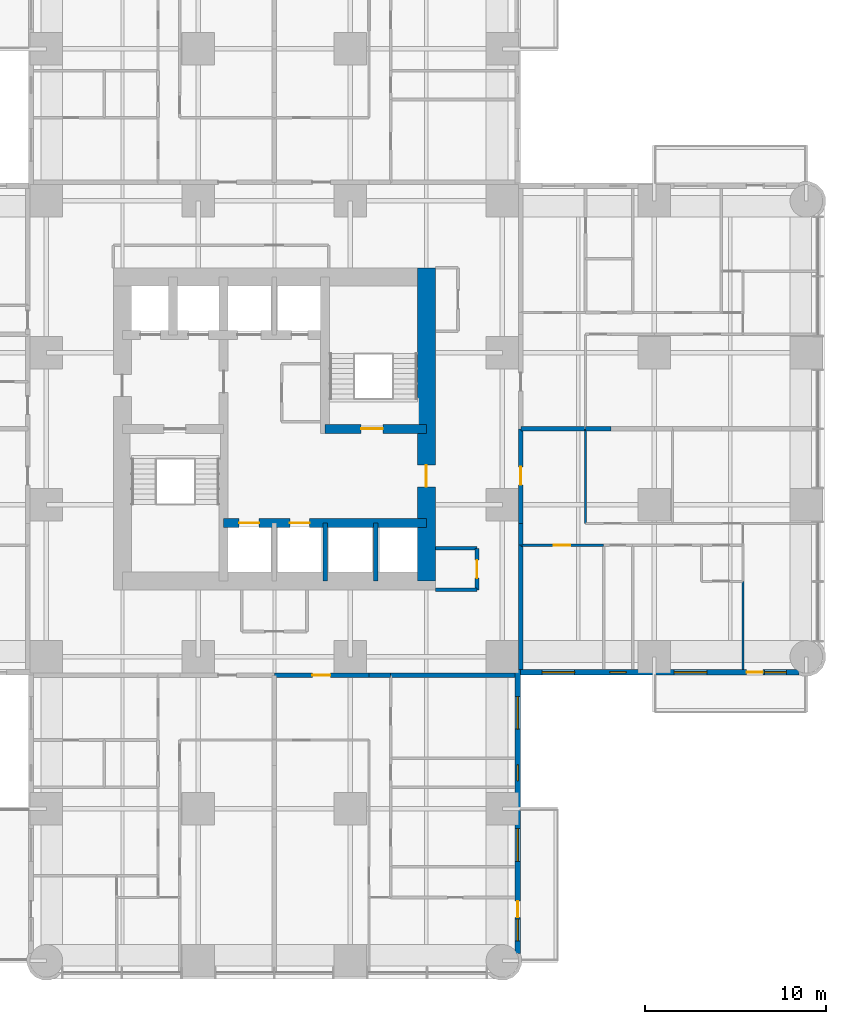
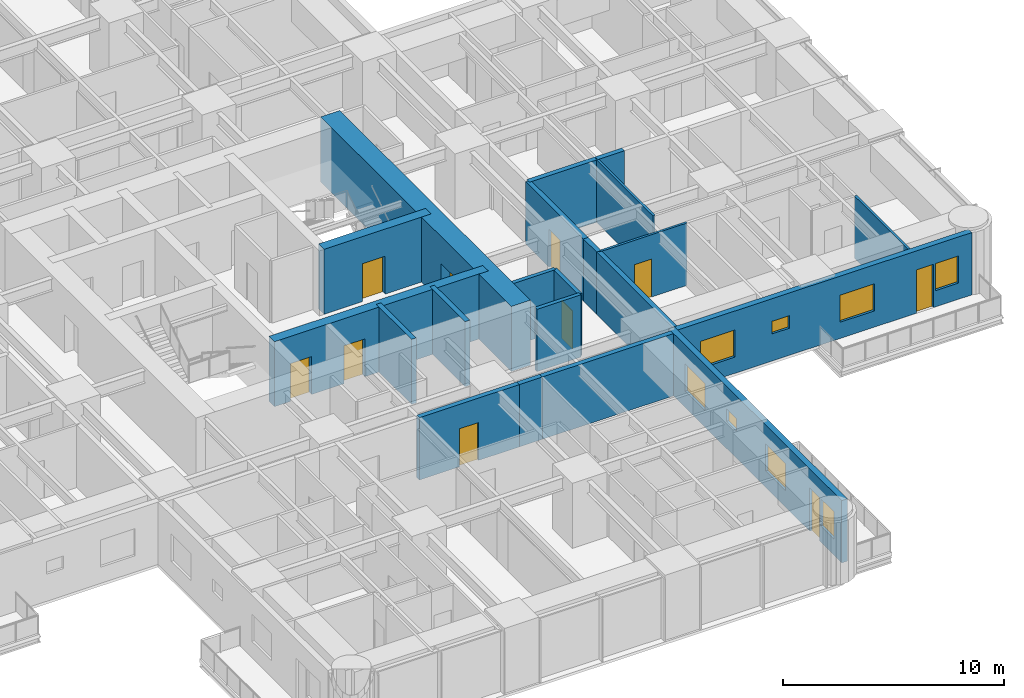
# One storey, part 10 of 17: 21 walls, 10 doors, 8 windows, 18 openings.
"""IFC4 building model written with IfcOpenShell, lengths in metres."""

from ifc_helpers import new_model, si_unit, direction, frame, frame_2d, origin, place, context, subcontext, project, spatial, rectangle, extrude, material, layer, layer_set, type_object, element, fill, save


model = new_model("IFC4")

# Units and contexts
model_context = context("Model", 3, precision=1e-05, world=origin(), true_north=direction((0.0, 1.0)))
body_context = subcontext(model_context, "Body", "Model", "MODEL_VIEW")
ifc_project = project(units=[si_unit("LENGTHUNIT", "METRE"), si_unit("AREAUNIT", "SQUARE_METRE"), si_unit("VOLUMEUNIT", "CUBIC_METRE"), si_unit("PLANEANGLEUNIT", "RADIAN"), si_unit("MASSUNIT", "GRAM", prefix="KILO")], contexts=[model_context])

# Site, building, storey
site_placement = place(None, origin())
site = spatial("IfcSite", under=ifc_project, at=site_placement, CompositionType="ELEMENT")
building_placement = place(site_placement, origin())
building = spatial("IfcBuilding", under=site, at=building_placement, Name="Torre Alcanfor", CompositionType="ELEMENT")
storey_placement = place(building_placement, frame((0.0, 0.0, 41.699951171875)))
storey = spatial("IfcBuildingStorey", under=building, at=storey_placement, Name="L09", CompositionType="ELEMENT", Elevation=41.699951171875)

# Wall, opening, door
ifc_material_1 = material(Name="Concrete block masonry, hollow blocks NMX-C-404 9 MPa", Category="masonry")
ifc_layer_1 = layer(ifc_material_1, 0.25)
ifc_layer_set_1 = layer_set([ifc_layer_1], Name="Apartment entrance wall 250 EI 60")
wall_type_1 = type_object("IfcWallType", Name="Apartment entrance wall 250 EI 60", PredefinedType="PARTITIONING", material=ifc_layer_set_1)
wall_1_placement = place(storey_placement, frame((43.02490234375, 29.39990234375, 0.0), z_axis=(0.0, 0.0, 1.0), x_axis=(0.0, -1.0, 0.0)))
wall_1 = element("IfcWall", 1, at=wall_1_placement, inside=storey, type_object=wall_type_1, Name="Partition L09-CORR / L09-E2-ZAG", PredefinedType="PARTITIONING", context=body_context, shape_type="SweptSolid", body=[
    extrude(rectangle(XDim=5.22900390625, YDim=0.25, at=frame_2d((2.614501953125, 0.0))), origin(), (0.0, 0.0, 1.0), 3.449951171875),
])
opening_1_placement = place(wall_1_placement, frame((2.10009765625, 0.0, 0.0)))
opening_1 = element("IfcOpeningElement", 2, at=opening_1_placement, cuts=wall_1, Name="Opening D-A1", PredefinedType="OPENING", context=body_context, shape_type="SweptSolid", body=[
    extrude(rectangle(XDim=1.0, YDim=2.10009765625, at=frame_2d((0.5, 1.050048828125))), frame((0.0, 0.135009765625, 0.0), z_axis=(0.0, -1.0, 0.0), x_axis=(1.0, 0.0, 0.0)), (0.0, 0.0, 1.0), 0.27001953125),
])
ifc_material_2 = material(Name="Galvanised steel sheet ASTM A653", Category="steel")
door_type_1 = type_object("IfcDoorType", Name="Apartment entrance door FD60 1000x2100", OperationType="SINGLE_SWING_LEFT", PredefinedType="DOOR", material=ifc_material_2)
door_1_placement = place(opening_1_placement, origin())
door_1 = element("IfcDoor", 3, at=door_1_placement, inside=storey, type_object=door_type_1, Name="Apartment entrance L09-E2", OperationType="SINGLE_SWING_LEFT", OverallHeight=2.10009765625, OverallWidth=1.0, PredefinedType="DOOR", context=body_context, shape_type="SweptSolid", body=[
    extrude(rectangle(XDim=1.0, YDim=2.10009765625, at=frame_2d((0.5, 1.050048828125))), frame((0.0, 0.02490234375, 0.0), z_axis=(0.0, -1.0, 0.0), x_axis=(1.0, 0.0, 0.0)), (0.0, 0.0, 1.0), 0.050048828125),
])
fill(opening_1, door_1)

# Walls
wall_2_placement = place(storey_placement, frame((43.02490234375, 24.1708984375, 0.0), z_axis=(0.0, 0.0, 1.0), x_axis=(0.0, -1.0, 0.0)))
element("IfcWall", 4, at=wall_2_placement, inside=storey, type_object=wall_type_1, Name="Partition L09-CORR / L09-E2-HALL", PredefinedType="PARTITIONING", context=body_context, shape_type="SweptSolid", body=[
    extrude(rectangle(XDim=1.199951171875, YDim=0.25, at=frame_2d((0.60009765625, 0.0))), origin(), (0.0, 0.0, 1.0), 3.449951171875),
])
wall_3_placement = place(storey_placement, frame((43.02490234375, 22.970947265625, 0.0), z_axis=(0.0, 0.0, 1.0), x_axis=(0.0, -1.0, 0.0)))
element("IfcWall", 5, at=wall_3_placement, inside=storey, type_object=wall_type_1, Name="Partition L09-CORR / L09-E2-BED2", PredefinedType="PARTITIONING", context=body_context, shape_type="SweptSolid", body=[
    extrude(rectangle(XDim=6.870849609375, YDim=0.25, at=frame_2d((3.435546875, 0.0))), origin(), (0.0, 0.0, 1.0), 3.449951171875),
])

# Wall, opening, door
wall_4_placement = place(storey_placement, frame((34.62890625, 15.77490234375, 0.0), z_axis=(0.0, 0.0, 1.0), x_axis=(-1.0, 0.0, 0.0)))
wall_4 = element("IfcWall", 6, at=wall_4_placement, inside=storey, type_object=wall_type_1, Name="Partition L09-CORR / L09-S1-ZAG", PredefinedType="PARTITIONING", context=body_context, shape_type="SweptSolid", body=[
    extrude(rectangle(XDim=5.22900390625, YDim=0.25, at=frame_2d((2.614501953125, 0.0))), origin(), (0.0, 0.0, 1.0), 3.449951171875),
])
opening_2_placement = place(wall_4_placement, frame((2.12890625, 0.0, 0.0)))
opening_2 = element("IfcOpeningElement", 7, at=opening_2_placement, cuts=wall_4, Name="Opening D-A1", PredefinedType="OPENING", context=body_context, shape_type="SweptSolid", body=[
    extrude(rectangle(XDim=1.0, YDim=2.10009765625, at=frame_2d((0.5, 1.050048828125))), frame((0.0, 0.135009765625, 0.0), z_axis=(0.0, -1.0, 0.0), x_axis=(1.0, 0.0, 0.0)), (0.0, 0.0, 1.0), 0.27001953125),
])
door_2_placement = place(opening_2_placement, origin())
door_2 = element("IfcDoor", 8, at=door_2_placement, inside=storey, type_object=door_type_1, Name="Apartment entrance L09-S1", OperationType="SINGLE_SWING_RIGHT", OverallHeight=2.10009765625, OverallWidth=1.0, PredefinedType="DOOR", context=body_context, shape_type="SweptSolid", body=[
    extrude(rectangle(XDim=1.0, YDim=2.10009765625, at=frame_2d((0.5, 1.050048828125))), frame((0.0, 0.02490234375, 0.0), z_axis=(0.0, -1.0, 0.0), x_axis=(1.0, 0.0, 0.0)), (0.0, 0.0, 1.0), 0.050048828125),
])
fill(opening_2, door_2)

# Walls
wall_5_placement = place(storey_placement, frame((35.8291015625, 15.77490234375, 0.0), z_axis=(0.0, 0.0, 1.0), x_axis=(-1.0, 0.0, 0.0)))
element("IfcWall", 9, at=wall_5_placement, inside=storey, type_object=wall_type_1, Name="Partition L09-CORR / L09-S1-HALL", PredefinedType="PARTITIONING", context=body_context, shape_type="SweptSolid", body=[
    extrude(rectangle(XDim=1.2001953125, YDim=0.25, at=frame_2d((0.60009765625, 0.0))), origin(), (0.0, 0.0, 1.0), 3.449951171875),
])
wall_6_placement = place(storey_placement, frame((42.699951171875, 15.77490234375, 0.0), z_axis=(0.0, 0.0, 1.0), x_axis=(-1.0, 0.0, 0.0)))
element("IfcWall", 10, at=wall_6_placement, inside=storey, type_object=wall_type_1, Name="Partition L09-CORR / L09-S1-BED3", PredefinedType="PARTITIONING", context=body_context, shape_type="SweptSolid", body=[
    extrude(rectangle(XDim=6.870849609375, YDim=0.25, at=frame_2d((3.435546875, 0.0))), origin(), (0.0, 0.0, 1.0), 3.449951171875),
])
ifc_material_3 = material(Name="Gypsum board on steel studs", Category="steel")
ifc_layer_2 = layer(ifc_material_3, 0.1201171875)
ifc_layer_set_2 = layer_set([ifc_layer_2], Name="Apartment partition 120")
wall_type_2 = type_object("IfcWallType", Name="Apartment partition 120", PredefinedType="PARTITIONING", material=ifc_layer_set_2)
wall_7_placement = place(storey_placement, frame((46.60009765625, 29.39990234375, 0.0), z_axis=(0.0, 0.0, 1.0), x_axis=(0.0, -1.0, 0.0)))
element("IfcWall", 11, at=wall_7_placement, inside=storey, type_object=wall_type_2, Name="Partition L09-E2-ZAG / L09-E2-FAMILY", PredefinedType="PARTITIONING", context=body_context, shape_type="SweptSolid", body=[
    extrude(rectangle(XDim=5.22900390625, YDim=0.1201171875, at=frame_2d((2.614501953125, 0.0))), origin(), (0.0, 0.0, 1.0), 3.449951171875),
])

# Wall, opening, door
wall_8_placement = place(storey_placement, frame((47.60009765625, 22.970947265625, 0.0), z_axis=(0.0, 0.0, 1.0), x_axis=(-1.0, 0.0, 0.0)))
wall_8 = element("IfcWall", 12, at=wall_8_placement, inside=storey, type_object=wall_type_2, Name="Partition L09-E2-HALL / L09-E2-BED2", PredefinedType="PARTITIONING", context=body_context, shape_type="SweptSolid", body=[
    extrude(rectangle(XDim=4.5751953125, YDim=0.1201171875, at=frame_2d((2.28759765625, 0.0))), origin(), (0.0, 0.0, 1.0), 3.449951171875),
])
opening_3_placement = place(wall_8_placement, frame((1.85009765625, 0.0, 0.0)))
opening_3 = element("IfcOpeningElement", 13, at=opening_3_placement, cuts=wall_8, Name="Opening D-R1", PredefinedType="OPENING", context=body_context, shape_type="SweptSolid", body=[
    extrude(rectangle(XDim=0.89990234375, YDim=2.10009765625, at=frame_2d((0.449951171875, 1.050048828125))), frame((0.0, 0.070068359375, 0.0), z_axis=(0.0, -1.0, 0.0), x_axis=(1.0, 0.0, 0.0)), (0.0, 0.0, 1.0), 0.14013671875),
])
ifc_material_4 = material(Name="Timber", Category="wood")
door_type_2 = type_object("IfcDoorType", Name="Internal door 900x2100", OperationType="SINGLE_SWING_LEFT", PredefinedType="DOOR", material=ifc_material_4)
door_3_placement = place(opening_3_placement, origin())
door_3 = element("IfcDoor", 14, at=door_3_placement, inside=storey, type_object=door_type_2, Name="Door L09-E2 bed2", OperationType="SINGLE_SWING_RIGHT", OverallHeight=2.10009765625, OverallWidth=0.89990234375, PredefinedType="DOOR", context=body_context, shape_type="SweptSolid", body=[
    extrude(rectangle(XDim=0.89990234375, YDim=2.10009765625, at=frame_2d((0.449951171875, 1.050048828125))), frame((0.0, 0.02490234375, 0.0), z_axis=(0.0, -1.0, 0.0), x_axis=(1.0, 0.0, 0.0)), (0.0, 0.0, 1.0), 0.050048828125),
])
fill(opening_3, door_3)

# Wall
wall_9_placement = place(storey_placement, frame((55.300048828125, 20.970947265625, 0.0), z_axis=(0.0, 0.0, 1.0), x_axis=(0.0, -1.0, 0.0)))
element("IfcWall", 15, at=wall_9_placement, inside=storey, type_object=wall_type_2, Name="Partition L09-E2-MASTER / L09-E2-WGARD", PredefinedType="PARTITIONING", context=body_context, shape_type="SweptSolid", body=[
    extrude(rectangle(XDim=4.870849609375, YDim=0.1201171875, at=frame_2d((2.435546875, 0.0))), origin(), (0.0, 0.0, 1.0), 3.449951171875),
])

# Wall, openings, doors
ifc_material_5 = material(Name="Concrete f'c 70 MPa", Category="concrete")
ifc_layer_3 = layer(ifc_material_5, 0.5)
ifc_layer_set_3 = layer_set([ifc_layer_3], Name="Core inner wall 500 f'c70")
wall_type_3 = type_object("IfcWallType", Name="Core inner wall 500 f'c70", PredefinedType="SHEAR", material=ifc_layer_set_3)
wall_10_placement = place(storey_placement, frame((26.60009765625, 24.199951171875, 0.0), z_axis=(0.0, 0.0, 1.0), x_axis=(1.0, 0.0, 0.0)))
wall_10 = element("IfcWall", 16, at=wall_10_placement, inside=storey, type_object=wall_type_3, Name="Core wall Y242 L09", PredefinedType="SHEAR", context=body_context, shape_type="SweptSolid", body=[
    extrude(rectangle(XDim=11.199951171875, YDim=0.5, at=frame_2d((5.60009765625, 0.0))), origin(), (0.0, 0.0, 1.0), 3.60009765625),
])
opening_4_placement = place(wall_10_placement, frame((0.85009765625, 0.0, 0.0)))
opening_4 = element("IfcOpeningElement", 17, at=opening_4_placement, cuts=wall_10, Name="Opening LD1", PredefinedType="OPENING", context=body_context, shape_type="SweptSolid", body=[
    extrude(rectangle(XDim=1.10009765625, YDim=2.10009765625, at=frame_2d((0.550048828125, 1.050048828125))), frame((0.0, 0.260009765625, 0.0), z_axis=(0.0, -1.0, 0.0), x_axis=(1.0, 0.0, 0.0)), (0.0, 0.0, 1.0), 0.52001953125),
])
opening_5_placement = place(wall_10_placement, frame((3.64990234375, 0.0, 0.0)))
opening_5 = element("IfcOpeningElement", 18, at=opening_5_placement, cuts=wall_10, Name="Opening LD1", PredefinedType="OPENING", context=body_context, shape_type="SweptSolid", body=[
    extrude(rectangle(XDim=1.10009765625, YDim=2.10009765625, at=frame_2d((0.550048828125, 1.050048828125))), frame((0.0, 0.260009765625, 0.0), z_axis=(0.0, -1.0, 0.0), x_axis=(1.0, 0.0, 0.0)), (0.0, 0.0, 1.0), 0.52001953125),
])
ifc_material_6 = material(Name="Galvanised steel sheet ASTM A653", Category="steel")
door_type_3 = type_object("IfcDoorType", Name="Lift landing door 1100x2100", OperationType="DOUBLE_DOOR_SLIDING", PredefinedType="DOOR", material=ifc_material_6)
door_4_placement = place(opening_4_placement, origin())
door_4 = element("IfcDoor", 19, at=door_4_placement, inside=storey, type_object=door_type_3, Name="Lift landing door PA1 L09", OperationType="DOUBLE_DOOR_SLIDING", OverallHeight=2.10009765625, OverallWidth=1.10009765625, PredefinedType="DOOR", context=body_context, shape_type="SweptSolid", body=[
    extrude(rectangle(XDim=1.10009765625, YDim=2.10009765625, at=frame_2d((0.550048828125, 1.050048828125))), frame((0.0, 0.02490234375, 0.0), z_axis=(0.0, -1.0, 0.0), x_axis=(1.0, 0.0, 0.0)), (0.0, 0.0, 1.0), 0.050048828125),
])
fill(opening_4, door_4)
door_5_placement = place(opening_5_placement, origin())
door_5 = element("IfcDoor", 20, at=door_5_placement, inside=storey, type_object=door_type_3, Name="Lift landing door PA2 L09", OperationType="DOUBLE_DOOR_SLIDING", OverallHeight=2.10009765625, OverallWidth=1.10009765625, PredefinedType="DOOR", context=body_context, shape_type="SweptSolid", body=[
    extrude(rectangle(XDim=1.10009765625, YDim=2.10009765625, at=frame_2d((0.550048828125, 1.050048828125))), frame((0.0, 0.02490234375, 0.0), z_axis=(0.0, -1.0, 0.0), x_axis=(1.0, 0.0, 0.0)), (0.0, 0.0, 1.0), 0.050048828125),
])
fill(opening_5, door_5)

# Wall, opening, door
wall_11_placement = place(storey_placement, frame((32.199951171875, 29.39990234375, 0.0), z_axis=(0.0, 0.0, 1.0), x_axis=(1.0, 0.0, 0.0)))
wall_11 = element("IfcWall", 21, at=wall_11_placement, inside=storey, type_object=wall_type_3, Name="Core wall Y294E L09", PredefinedType="SHEAR", context=body_context, shape_type="SweptSolid", body=[
    extrude(rectangle(XDim=5.60009765625, YDim=0.5, at=frame_2d((2.800048828125, 0.0))), origin(), (0.0, 0.0, 1.0), 3.60009765625),
])
opening_6_placement = place(wall_11_placement, frame((2.0, 0.0, 0.0)))
opening_6 = element("IfcOpeningElement", 22, at=opening_6_placement, cuts=wall_11, Name="Opening D-S2", PredefinedType="OPENING", context=body_context, shape_type="SweptSolid", body=[
    extrude(rectangle(XDim=1.199951171875, YDim=2.10009765625, at=frame_2d((0.60009765625, 1.050048828125))), frame((0.0, 0.260009765625, 0.0), z_axis=(0.0, -1.0, 0.0), x_axis=(1.0, 0.0, 0.0)), (0.0, 0.0, 1.0), 0.52001953125),
])
ifc_material_7 = material(Name="Galvanised steel sheet ASTM A653", Category="steel")
door_type_4 = type_object("IfcDoorType", Name="Stair enclosure door FD120 1200x2100", OperationType="SINGLE_SWING_LEFT", PredefinedType="DOOR", material=ifc_material_7)
door_6_placement = place(opening_6_placement, origin())
door_6 = element("IfcDoor", 23, at=door_6_placement, inside=storey, type_object=door_type_4, Name="Stair S2 door L09", OperationType="SINGLE_SWING_LEFT", OverallHeight=2.10009765625, OverallWidth=1.199951171875, PredefinedType="DOOR", context=body_context, shape_type="SweptSolid", body=[
    extrude(rectangle(XDim=1.199951171875, YDim=2.10009765625, at=frame_2d((0.60009765625, 1.050048828125))), frame((0.0, 0.02490234375, 0.0), z_axis=(0.0, -1.0, 0.0), x_axis=(1.0, 0.0, 0.0)), (0.0, 0.0, 1.0), 0.050048828125),
])
fill(opening_6, door_6)

# Walls
ifc_material_8 = material(Name="Concrete f'c 70 MPa", Category="concrete")
ifc_layer_4 = layer(ifc_material_8, 0.25)
ifc_layer_set_4 = layer_set([ifc_layer_4], Name="Core shaft wall 250 f'c70")
wall_type_4 = type_object("IfcWallType", Name="Core shaft wall 250 f'c70", PredefinedType="SHEAR", material=ifc_layer_set_4)
for number, where, z_axis, x_axis, name in (
    (24, (32.199951171875, 21.0, 0.0), (0.0, 0.0, 1.0), (0.0, 1.0, 0.0), "Core wall X322S L09"),
    (25, (35.0, 21.0, 0.0), (0.0, 0.0, 1.0), (0.0, 1.0, 0.0), "Core wall X350S L09"),
):
    element("IfcWall", number, at=place(storey_placement, frame(where, z_axis=z_axis, x_axis=x_axis)), inside=storey, type_object=wall_type_4, Name=name, PredefinedType="SHEAR", context=body_context, shape_type="SweptSolid", body=[
        extrude(rectangle(XDim=3.199951171875, YDim=0.25, at=frame_2d((1.60009765625, 0.0))), origin(), (0.0, 0.0, 1.0), 3.60009765625),
    ])

# Wall, opening, door
ifc_material_9 = material(Name="Concrete f'c 70 MPa", Category="concrete")
ifc_layer_5 = layer(ifc_material_9, 1.0)
ifc_layer_set_5 = layer_set([ifc_layer_5], Name="Core wall 1000 f'c70")
wall_type_5 = type_object("IfcWallType", Name="Core wall 1000 f'c70", PredefinedType="SHEAR", material=ifc_layer_set_5)
wall_12_placement = place(storey_placement, frame((37.800048828125, 21.0, 0.0), z_axis=(0.0, 0.0, 1.0), x_axis=(0.0, 1.0, 0.0)))
wall_12 = element("IfcWall", 26, at=wall_12_placement, inside=storey, type_object=wall_type_5, Name="Core wall OUT-E L09", PredefinedType="SHEAR", context=body_context, shape_type="SweptSolid", body=[
    extrude(rectangle(XDim=17.300048828125, YDim=1.0, at=frame_2d((8.64990234375, 0.0))), origin(), (0.0, 0.0, 1.0), 3.60009765625),
])
opening_7_placement = place(wall_12_placement, frame((5.199951171875, 0.0, 0.0)))
opening_7 = element("IfcOpeningElement", 27, at=opening_7_placement, cuts=wall_12, Name="Opening D-L1", PredefinedType="OPENING", context=body_context, shape_type="SweptSolid", body=[
    extrude(rectangle(XDim=1.199951171875, YDim=2.10009765625, at=frame_2d((0.60009765625, 1.050048828125))), frame((0.0, 0.510009765625, 0.0), z_axis=(0.0, -1.0, 0.0), x_axis=(1.0, 0.0, 0.0)), (0.0, 0.0, 1.0), 1.02001953125),
])
ifc_material_10 = material(Name="Galvanised steel sheet ASTM A653", Category="steel")
door_type_5 = type_object("IfcDoorType", Name="Lobby door FD120 1200x2100", OperationType="SINGLE_SWING_LEFT", PredefinedType="DOOR", material=ifc_material_10)
door_7_placement = place(opening_7_placement, origin())
door_7 = element("IfcDoor", 28, at=door_7_placement, inside=storey, type_object=door_type_5, Name="Lift lobby entrance door L09", OperationType="SINGLE_SWING_LEFT", OverallHeight=2.10009765625, OverallWidth=1.199951171875, PredefinedType="DOOR", context=body_context, shape_type="SweptSolid", body=[
    extrude(rectangle(XDim=1.199951171875, YDim=2.10009765625, at=frame_2d((0.60009765625, 1.050048828125))), frame((0.0, 0.02490234375, 0.0), z_axis=(0.0, -1.0, 0.0), x_axis=(1.0, 0.0, 0.0)), (0.0, 0.0, 1.0), 0.050048828125),
])
fill(opening_7, door_7)

# Wall, openings, door, windows
ifc_material_11 = material(Name="Limestone cladding", Category="masonry")
ifc_layer_6 = layer(ifc_material_11, 0.0400390625, Name="Facing")
ifc_material_12 = material(Name="Ventilated air cavity")
ifc_layer_7 = layer(ifc_material_12, 0.02001953125, ventilated=True, Name="Ventilated joint")
ifc_material_13 = material(Name="Mineral wool insulation", Category="insulation")
ifc_layer_8 = layer(ifc_material_13, 0.10009765625, Name="Insulation")
ifc_material_14 = material(Name="Concrete f'c 35 MPa", Category="concrete")
ifc_layer_9 = layer(ifc_material_14, 0.139892578125, Name="Backing")
ifc_layer_set_6 = layer_set([ifc_layer_6, ifc_layer_7, ifc_layer_8, ifc_layer_9], Name="External wall stone-clad 300")
wall_type_6 = type_object("IfcWallType", Name="External wall stone-clad 300", PredefinedType="SOLIDWALL", material=ifc_layer_set_6)
wall_13_placement = place(storey_placement, frame((42.85009765625, 0.39990234375, 0.0), z_axis=(0.0, 0.0, 1.0), x_axis=(0.0, 1.0, 0.0)))
wall_13 = element("IfcWall", 29, at=wall_13_placement, inside=storey, type_object=wall_type_6, Name="External wall L09 6", PredefinedType="SOLIDWALL", context=body_context, shape_type="SweptSolid", body=[
    extrude(rectangle(XDim=15.7001953125, YDim=0.300048828125, at=frame_2d((7.85009765625, 0.0))), origin(), (0.0, 0.0, 1.0), 3.449951171875),
])
opening_8_placement = place(wall_13_placement, frame((12.39990234375, 0.0, 0.89990234375)))
opening_8 = element("IfcOpeningElement", 30, at=opening_8_placement, cuts=wall_13, Name="Opening W2", PredefinedType="OPENING", context=body_context, shape_type="SweptSolid", body=[
    extrude(rectangle(XDim=1.800048828125, YDim=1.5, at=frame_2d((0.89990234375, 0.75))), frame((0.0, 0.159912109375, 0.0), z_axis=(0.0, -1.0, 0.0), x_axis=(1.0, 0.0, 0.0)), (0.0, 0.0, 1.0), 0.320068359375),
])
opening_9_placement = place(wall_13_placement, frame((9.550048828125, 0.0, 1.5)))
opening_9 = element("IfcOpeningElement", 31, at=opening_9_placement, cuts=wall_13, Name="Opening W3", PredefinedType="OPENING", context=body_context, shape_type="SweptSolid", body=[
    extrude(rectangle(XDim=0.89990234375, YDim=0.699951171875, at=frame_2d((0.449951171875, 0.35009765625))), frame((0.0, 0.159912109375, 0.0), z_axis=(0.0, -1.0, 0.0), x_axis=(1.0, 0.0, 0.0)), (0.0, 0.0, 1.0), 0.320068359375),
])
opening_10_placement = place(wall_13_placement, frame((5.10009765625, 0.0, 0.89990234375)))
opening_10 = element("IfcOpeningElement", 32, at=opening_10_placement, cuts=wall_13, Name="Opening W2", PredefinedType="OPENING", context=body_context, shape_type="SweptSolid", body=[
    extrude(rectangle(XDim=1.800048828125, YDim=1.5, at=frame_2d((0.89990234375, 0.75))), frame((0.0, 0.159912109375, 0.0), z_axis=(0.0, -1.0, 0.0), x_axis=(1.0, 0.0, 0.0)), (0.0, 0.0, 1.0), 0.320068359375),
])
opening_11_placement = place(wall_13_placement, frame((2.0, 0.0, 0.0)))
opening_11 = element("IfcOpeningElement", 33, at=opening_11_placement, cuts=wall_13, Name="Opening D-B1", PredefinedType="OPENING", context=body_context, shape_type="SweptSolid", body=[
    extrude(rectangle(XDim=0.89990234375, YDim=2.39990234375, at=frame_2d((0.449951171875, 1.199951171875))), frame((0.0, 0.159912109375, 0.0), z_axis=(0.0, -1.0, 0.0), x_axis=(1.0, 0.0, 0.0)), (0.0, 0.0, 1.0), 0.320068359375),
])
opening_12_placement = place(wall_13_placement, frame((0.699951171875, 0.0, 0.89990234375)))
opening_12 = element("IfcOpeningElement", 34, at=opening_12_placement, cuts=wall_13, Name="Opening W4", PredefinedType="OPENING", context=body_context, shape_type="SweptSolid", body=[
    extrude(rectangle(XDim=1.199951171875, YDim=1.5, at=frame_2d((0.60009765625, 0.75))), frame((0.0, 0.159912109375, 0.0), z_axis=(0.0, -1.0, 0.0), x_axis=(1.0, 0.0, 0.0)), (0.0, 0.0, 1.0), 0.320068359375),
])
ifc_material_15 = material(Name="Aluminium and glass", Category="aluminium")
door_type_6 = type_object("IfcDoorType", Name="Balcony door glazed 900x2400", OperationType="SINGLE_SWING_LEFT", PredefinedType="DOOR", material=ifc_material_15)
door_8_placement = place(opening_11_placement, origin())
door_8 = element("IfcDoor", 35, at=door_8_placement, inside=storey, type_object=door_type_6, Name="Balcony door L09-S1", OperationType="SINGLE_SWING_RIGHT", OverallHeight=2.39990234375, OverallWidth=0.89990234375, PredefinedType="DOOR", context=body_context, shape_type="SweptSolid", body=[
    extrude(rectangle(XDim=0.89990234375, YDim=2.39990234375, at=frame_2d((0.449951171875, 1.199951171875))), frame((0.0, 0.02490234375, 0.0), z_axis=(0.0, -1.0, 0.0), x_axis=(1.0, 0.0, 0.0)), (0.0, 0.0, 1.0), 0.050048828125),
])
fill(opening_11, door_8)
ifc_material_16 = material(Name="Aluminium frame with clear double glazing", Category="aluminium")
window_type_1 = type_object("IfcWindowType", Name="Window bathroom 900x700", PartitioningType="SINGLE_PANEL", PredefinedType="WINDOW", material=ifc_material_16)
window_1_placement = place(opening_9_placement, origin())
window_1 = element("IfcWindow", 36, at=window_1_placement, inside=storey, type_object=window_type_1, Name="Window W3 L09-S1", OverallHeight=0.699951171875, OverallWidth=0.89990234375, PartitioningType="SINGLE_PANEL", PredefinedType="WINDOW", context=body_context, shape_type="SweptSolid", body=[
    extrude(rectangle(XDim=0.89990234375, YDim=0.699951171875, at=frame_2d((0.449951171875, 0.35009765625))), frame((0.0, 0.030029296875, 0.0), z_axis=(0.0, -1.0, 0.0), x_axis=(1.0, 0.0, 0.0)), (0.0, 0.0, 1.0), 0.06005859375),
])
fill(opening_9, window_1)
ifc_material_17 = material(Name="Aluminium frame with clear double glazing", Category="aluminium")
window_type_2 = type_object("IfcWindowType", Name="Window bedroom 1200x1500", PartitioningType="SINGLE_PANEL", PredefinedType="WINDOW", material=ifc_material_17)
window_2_placement = place(opening_12_placement, origin())
window_2 = element("IfcWindow", 37, at=window_2_placement, inside=storey, type_object=window_type_2, Name="Window W4 L09-S1", OverallHeight=1.5, OverallWidth=1.199951171875, PartitioningType="SINGLE_PANEL", PredefinedType="WINDOW", context=body_context, shape_type="SweptSolid", body=[
    extrude(rectangle(XDim=1.199951171875, YDim=1.5, at=frame_2d((0.60009765625, 0.75))), frame((0.0, 0.030029296875, 0.0), z_axis=(0.0, -1.0, 0.0), x_axis=(1.0, 0.0, 0.0)), (0.0, 0.0, 1.0), 0.06005859375),
])
fill(opening_12, window_2)
ifc_material_18 = material(Name="Aluminium frame with clear double glazing", Category="aluminium")
window_type_3 = type_object("IfcWindowType", Name="Window bedroom 1800x1500", PartitioningType="SINGLE_PANEL", PredefinedType="WINDOW", material=ifc_material_18)
window_3_placement = place(opening_8_placement, origin())
window_3 = element("IfcWindow", 38, at=window_3_placement, inside=storey, type_object=window_type_3, Name="Window W2 L09-S1", OverallHeight=1.5, OverallWidth=1.800048828125, PartitioningType="SINGLE_PANEL", PredefinedType="WINDOW", context=body_context, shape_type="SweptSolid", body=[
    extrude(rectangle(XDim=1.800048828125, YDim=1.5, at=frame_2d((0.89990234375, 0.75))), frame((0.0, 0.030029296875, 0.0), z_axis=(0.0, -1.0, 0.0), x_axis=(1.0, 0.0, 0.0)), (0.0, 0.0, 1.0), 0.06005859375),
])
fill(opening_8, window_3)
window_4_placement = place(opening_10_placement, origin())
window_4 = element("IfcWindow", 39, at=window_4_placement, inside=storey, type_object=window_type_3, Name="Window W2 L09-S1", OverallHeight=1.5, OverallWidth=1.800048828125, PartitioningType="SINGLE_PANEL", PredefinedType="WINDOW", context=body_context, shape_type="SweptSolid", body=[
    extrude(rectangle(XDim=1.800048828125, YDim=1.5, at=frame_2d((0.89990234375, 0.75))), frame((0.0, 0.030029296875, 0.0), z_axis=(0.0, -1.0, 0.0), x_axis=(1.0, 0.0, 0.0)), (0.0, 0.0, 1.0), 0.06005859375),
])
fill(opening_10, window_4)

wall_14_placement = place(storey_placement, frame((43.0, 15.949951171875, 0.0), z_axis=(0.0, 0.0, 1.0), x_axis=(1.0, 0.0, 0.0)))
wall_14 = element("IfcWall", 40, at=wall_14_placement, inside=storey, type_object=wall_type_6, Name="External wall L09 7", PredefinedType="SOLIDWALL", context=body_context, shape_type="SweptSolid", body=[
    extrude(rectangle(XDim=15.39990234375, YDim=0.300048828125, at=frame_2d((7.699951171875, 0.0))), origin(), (0.0, 0.0, 1.0), 3.449951171875),
])
opening_13_placement = place(wall_14_placement, frame((1.199951171875, 0.0, 0.89990234375)))
opening_13 = element("IfcOpeningElement", 41, at=opening_13_placement, cuts=wall_14, Name="Opening W2", PredefinedType="OPENING", context=body_context, shape_type="SweptSolid", body=[
    extrude(rectangle(XDim=1.800048828125, YDim=1.5, at=frame_2d((0.89990234375, 0.75))), frame((0.0, 0.159912109375, 0.0), z_axis=(0.0, -1.0, 0.0), x_axis=(1.0, 0.0, 0.0)), (0.0, 0.0, 1.0), 0.320068359375),
])
opening_14_placement = place(wall_14_placement, frame((4.949951171875, 0.0, 1.5)))
opening_14 = element("IfcOpeningElement", 42, at=opening_14_placement, cuts=wall_14, Name="Opening W3", PredefinedType="OPENING", context=body_context, shape_type="SweptSolid", body=[
    extrude(rectangle(XDim=0.89990234375, YDim=0.699951171875, at=frame_2d((0.449951171875, 0.35009765625))), frame((0.0, 0.159912109375, 0.0), z_axis=(0.0, -1.0, 0.0), x_axis=(1.0, 0.0, 0.0)), (0.0, 0.0, 1.0), 0.320068359375),
])
opening_15_placement = place(wall_14_placement, frame((8.5, 0.0, 0.89990234375)))
opening_15 = element("IfcOpeningElement", 43, at=opening_15_placement, cuts=wall_14, Name="Opening W2", PredefinedType="OPENING", context=body_context, shape_type="SweptSolid", body=[
    extrude(rectangle(XDim=1.800048828125, YDim=1.5, at=frame_2d((0.89990234375, 0.75))), frame((0.0, 0.159912109375, 0.0), z_axis=(0.0, -1.0, 0.0), x_axis=(1.0, 0.0, 0.0)), (0.0, 0.0, 1.0), 0.320068359375),
])
opening_16_placement = place(wall_14_placement, frame((12.5, 0.0, 0.0)))
opening_16 = element("IfcOpeningElement", 44, at=opening_16_placement, cuts=wall_14, Name="Opening D-B1", PredefinedType="OPENING", context=body_context, shape_type="SweptSolid", body=[
    extrude(rectangle(XDim=0.89990234375, YDim=2.39990234375, at=frame_2d((0.449951171875, 1.199951171875))), frame((0.0, 0.159912109375, 0.0), z_axis=(0.0, -1.0, 0.0), x_axis=(1.0, 0.0, 0.0)), (0.0, 0.0, 1.0), 0.320068359375),
])
opening_17_placement = place(wall_14_placement, frame((13.5, 0.0, 0.89990234375)))
opening_17 = element("IfcOpeningElement", 45, at=opening_17_placement, cuts=wall_14, Name="Opening W4", PredefinedType="OPENING", context=body_context, shape_type="SweptSolid", body=[
    extrude(rectangle(XDim=1.199951171875, YDim=1.5, at=frame_2d((0.60009765625, 0.75))), frame((0.0, 0.159912109375, 0.0), z_axis=(0.0, -1.0, 0.0), x_axis=(1.0, 0.0, 0.0)), (0.0, 0.0, 1.0), 0.320068359375),
])
door_9_placement = place(opening_16_placement, origin())
door_9 = element("IfcDoor", 46, at=door_9_placement, inside=storey, type_object=door_type_6, Name="Balcony door L09-E2", OperationType="SINGLE_SWING_LEFT", OverallHeight=2.39990234375, OverallWidth=0.89990234375, PredefinedType="DOOR", context=body_context, shape_type="SweptSolid", body=[
    extrude(rectangle(XDim=0.89990234375, YDim=2.39990234375, at=frame_2d((0.449951171875, 1.199951171875))), frame((0.0, 0.02490234375, 0.0), z_axis=(0.0, -1.0, 0.0), x_axis=(1.0, 0.0, 0.0)), (0.0, 0.0, 1.0), 0.050048828125),
])
fill(opening_16, door_9)
window_5_placement = place(opening_14_placement, origin())
window_5 = element("IfcWindow", 47, at=window_5_placement, inside=storey, type_object=window_type_1, Name="Window W3 L09-E2", OverallHeight=0.699951171875, OverallWidth=0.89990234375, PartitioningType="SINGLE_PANEL", PredefinedType="WINDOW", context=body_context, shape_type="SweptSolid", body=[
    extrude(rectangle(XDim=0.89990234375, YDim=0.699951171875, at=frame_2d((0.449951171875, 0.35009765625))), frame((0.0, 0.030029296875, 0.0), z_axis=(0.0, -1.0, 0.0), x_axis=(1.0, 0.0, 0.0)), (0.0, 0.0, 1.0), 0.06005859375),
])
fill(opening_14, window_5)
window_6_placement = place(opening_17_placement, origin())
window_6 = element("IfcWindow", 48, at=window_6_placement, inside=storey, type_object=window_type_2, Name="Window W4 L09-E2", OverallHeight=1.5, OverallWidth=1.199951171875, PartitioningType="SINGLE_PANEL", PredefinedType="WINDOW", context=body_context, shape_type="SweptSolid", body=[
    extrude(rectangle(XDim=1.199951171875, YDim=1.5, at=frame_2d((0.60009765625, 0.75))), frame((0.0, 0.030029296875, 0.0), z_axis=(0.0, -1.0, 0.0), x_axis=(1.0, 0.0, 0.0)), (0.0, 0.0, 1.0), 0.06005859375),
])
fill(opening_17, window_6)
window_7_placement = place(opening_13_placement, origin())
window_7 = element("IfcWindow", 49, at=window_7_placement, inside=storey, type_object=window_type_3, Name="Window W2 L09-E2", OverallHeight=1.5, OverallWidth=1.800048828125, PartitioningType="SINGLE_PANEL", PredefinedType="WINDOW", context=body_context, shape_type="SweptSolid", body=[
    extrude(rectangle(XDim=1.800048828125, YDim=1.5, at=frame_2d((0.89990234375, 0.75))), frame((0.0, 0.030029296875, 0.0), z_axis=(0.0, -1.0, 0.0), x_axis=(1.0, 0.0, 0.0)), (0.0, 0.0, 1.0), 0.06005859375),
])
fill(opening_13, window_7)
window_8_placement = place(opening_15_placement, origin())
window_8 = element("IfcWindow", 50, at=window_8_placement, inside=storey, type_object=window_type_3, Name="Window W2 L09-E2", OverallHeight=1.5, OverallWidth=1.800048828125, PartitioningType="SINGLE_PANEL", PredefinedType="WINDOW", context=body_context, shape_type="SweptSolid", body=[
    extrude(rectangle(XDim=1.800048828125, YDim=1.5, at=frame_2d((0.89990234375, 0.75))), frame((0.0, 0.030029296875, 0.0), z_axis=(0.0, -1.0, 0.0), x_axis=(1.0, 0.0, 0.0)), (0.0, 0.0, 1.0), 0.06005859375),
])
fill(opening_15, window_8)

# Walls
ifc_material_19 = material(Name="Concrete block masonry, hollow blocks NMX-C-404 9 MPa", Category="masonry")
ifc_layer_10 = layer(ifc_material_19, 0.25)
ifc_layer_set_7 = layer_set([ifc_layer_10], Name="Party wall 250 EI 60")
wall_type_7 = type_object("IfcWallType", Name="Party wall 250 EI 60", PredefinedType="PARTITIONING", material=ifc_layer_set_7)
wall_15_placement = place(storey_placement, frame((43.02490234375, 29.39990234375, 0.0), z_axis=(0.0, 0.0, 1.0), x_axis=(1.0, 0.0, 0.0)))
element("IfcWall", 51, at=wall_15_placement, inside=storey, type_object=wall_type_7, Name="Partition L09-E1-ZAG / L09-E2-ZAG", PredefinedType="PARTITIONING", context=body_context, shape_type="SweptSolid", body=[
    extrude(rectangle(XDim=3.5751953125, YDim=0.25, at=frame_2d((1.78759765625, 0.0))), origin(), (0.0, 0.0, 1.0), 3.449951171875),
])
wall_16_placement = place(storey_placement, frame((46.60009765625, 29.39990234375, 0.0), z_axis=(0.0, 0.0, 1.0), x_axis=(1.0, 0.0, 0.0)))
element("IfcWall", 52, at=wall_16_placement, inside=storey, type_object=wall_type_7, Name="Partition L09-E1-LAUND / L09-E2-FAMILY", PredefinedType="PARTITIONING", context=body_context, shape_type="SweptSolid", body=[
    extrude(rectangle(XDim=1.39990234375, YDim=0.25, at=frame_2d((0.699951171875, 0.0))), origin(), (0.0, 0.0, 1.0), 3.449951171875),
])
ifc_material_20 = material(Name="Concrete block masonry, hollow blocks NMX-C-404 9 MPa", Category="masonry")
ifc_layer_11 = layer(ifc_material_20, 0.199951171875)
ifc_layer_set_8 = layer_set([ifc_layer_11], Name="Plant room wall 200 EI 60")
wall_type_8 = type_object("IfcWallType", Name="Plant room wall 200 EI 60", PredefinedType="PARTITIONING", material=ifc_layer_set_8)
wall_17_placement = place(storey_placement, frame((38.300048828125, 20.5, 0.0), z_axis=(0.0, 0.0, 1.0), x_axis=(1.0, 0.0, 0.0)))
element("IfcWall", 53, at=wall_17_placement, inside=storey, type_object=wall_type_8, Name="Partition L09-CORR / L09-G02", PredefinedType="PARTITIONING", context=body_context, shape_type="SweptSolid", body=[
    extrude(rectangle(XDim=2.300048828125, YDim=0.199951171875, at=frame_2d((1.14990234375, 0.0))), origin(), (0.0, 0.0, 1.0), 3.449951171875),
])

# Wall, opening, door
wall_18_placement = place(storey_placement, frame((40.60009765625, 20.5, 0.0), z_axis=(0.0, 0.0, 1.0), x_axis=(0.0, 1.0, 0.0)))
wall_18 = element("IfcWall", 54, at=wall_18_placement, inside=storey, type_object=wall_type_8, Name="Partition L09-CORR / L09-G02", PredefinedType="PARTITIONING", context=body_context, shape_type="SweptSolid", body=[
    extrude(rectangle(XDim=2.300048828125, YDim=0.199951171875, at=frame_2d((1.14990234375, 0.0))), origin(), (0.0, 0.0, 1.0), 3.449951171875),
])
opening_18_placement = place(wall_18_placement, frame((0.64990234375, 0.0, 0.0)))
opening_18 = element("IfcOpeningElement", 55, at=opening_18_placement, cuts=wall_18, Name="Opening D-K1", PredefinedType="OPENING", context=body_context, shape_type="SweptSolid", body=[
    extrude(rectangle(XDim=1.0, YDim=2.10009765625, at=frame_2d((0.5, 1.050048828125))), frame((0.0, 0.10986328125, 0.0), z_axis=(0.0, -1.0, 0.0), x_axis=(1.0, 0.0, 0.0)), (0.0, 0.0, 1.0), 0.219970703125),
])
ifc_material_21 = material(Name="Galvanised steel sheet ASTM A653", Category="steel")
door_type_7 = type_object("IfcDoorType", Name="Core room door FD60 1000x2100", OperationType="SINGLE_SWING_LEFT", PredefinedType="DOOR", material=ifc_material_21)
door_10_placement = place(opening_18_placement, origin())
door_10 = element("IfcDoor", 56, at=door_10_placement, inside=storey, type_object=door_type_7, Name="Door L09-G02 refuse and recycling store", OperationType="SINGLE_SWING_LEFT", OverallHeight=2.10009765625, OverallWidth=1.0, PredefinedType="DOOR", context=body_context, shape_type="SweptSolid", body=[
    extrude(rectangle(XDim=1.0, YDim=2.10009765625, at=frame_2d((0.5, 1.050048828125))), frame((0.0, 0.02490234375, 0.0), z_axis=(0.0, -1.0, 0.0), x_axis=(1.0, 0.0, 0.0)), (0.0, 0.0, 1.0), 0.050048828125),
])
fill(opening_18, door_10)

# Wall
wall_19_placement = place(storey_placement, frame((40.60009765625, 22.800048828125, 0.0), z_axis=(0.0, 0.0, 1.0), x_axis=(-1.0, 0.0, 0.0)))
element("IfcWall", 57, at=wall_19_placement, inside=storey, type_object=wall_type_8, Name="Partition L09-CORR / L09-G02", PredefinedType="PARTITIONING", context=body_context, shape_type="SweptSolid", body=[
    extrude(rectangle(XDim=2.300048828125, YDim=0.199951171875, at=frame_2d((1.14990234375, 0.0))), origin(), (0.0, 0.0, 1.0), 3.449951171875),
])

save(model, "model.ifc")
